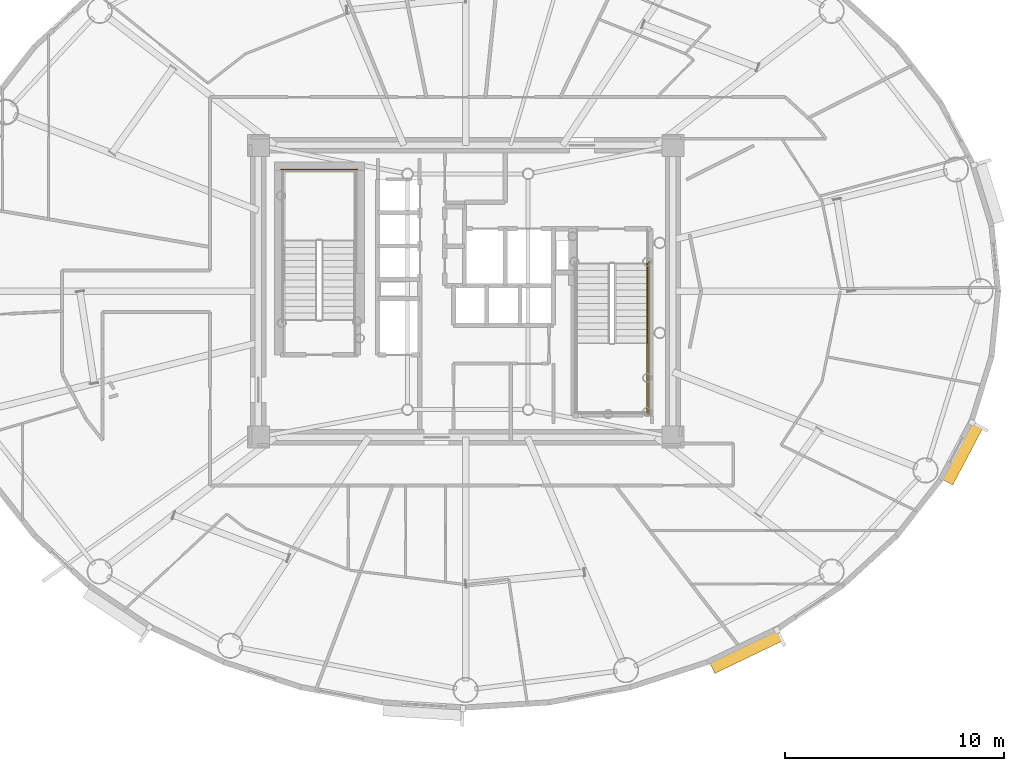
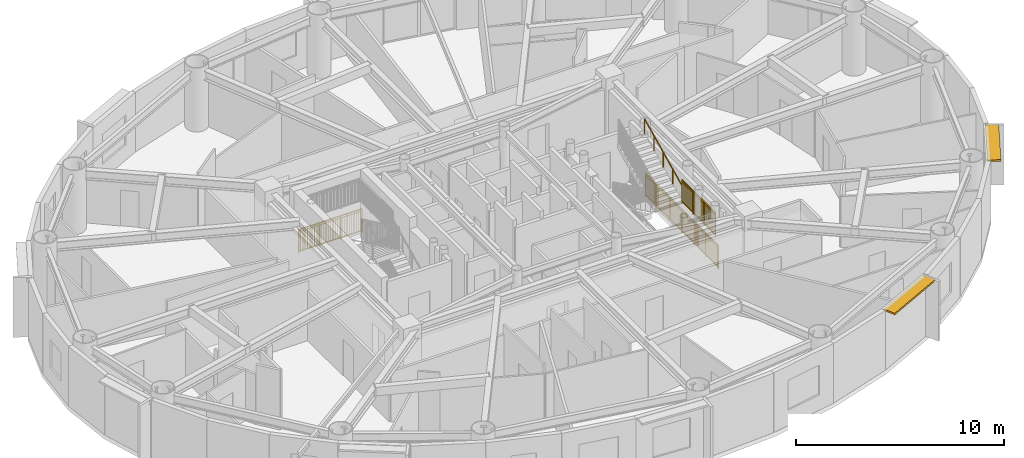
# One storey, part 20 of 21: 4 railings, 2 shading devices.
"""IFC4 building model written with IfcOpenShell, lengths in metres."""

from ifc_helpers import new_model, si_unit, direction, frame, origin, origin_2d, place, context, subcontext, project, spatial, rectangle, extrude, source, transform, mapped, material, layer, layer_set, type_object, element, save


model = new_model("IFC4")

# Units and contexts
model_context = context("Model", 3, precision=1e-05, world=origin(), true_north=direction((0.0, 1.0)))
body_context = subcontext(model_context, "Body", "Model", "MODEL_VIEW")
ifc_project = project(units=[si_unit("LENGTHUNIT", "METRE"), si_unit("AREAUNIT", "SQUARE_METRE"), si_unit("VOLUMEUNIT", "CUBIC_METRE"), si_unit("PLANEANGLEUNIT", "RADIAN"), si_unit("MASSUNIT", "GRAM", prefix="KILO")], contexts=[model_context])

# Site, building, storey
site_placement = place(None, origin())
site = spatial("IfcSite", under=ifc_project, at=site_placement, CompositionType="ELEMENT")
building_placement = place(site_placement, origin())
building = spatial("IfcBuilding", under=site, at=building_placement, Name="Linh Dai School and Residence Tower", CompositionType="ELEMENT")
storey_placement = place(building_placement, frame((0.0, 0.0, 229.050048828125)))
storey = spatial("IfcBuildingStorey", under=building, at=storey_placement, Name="L56", CompositionType="ELEMENT", Elevation=229.050048828125)

# Shading devices
ifc_material_1 = material(Name="Terracotta Ceramic Sunshade", Category="masonry")
ifc_layer = layer(ifc_material_1, 0.10009765625)
ifc_layer_set = layer_set([ifc_layer], Name="Terracotta Ceramic Sunshade")
shading_device_type = type_object("IfcShadingDeviceType", Name="SHD-TC-650", PredefinedType="USERDEFINED", material=ifc_layer_set)
shared_shape_1 = source(origin(), body_context, "Body", "SweptSolid", [
    extrude(rectangle(XDim=3.459716796875, YDim=0.64990234375, at=origin_2d()), origin(), (0.0, 0.0, 1.0), 0.10009765625),
])
shading_device_1_placement = place(storey_placement, frame((48.77880859375, 10.615966796875, 3.3798828125), z_axis=(0.0, 0.0, 1.0), x_axis=(-0.901588864931, -0.432593941973, 0.0)))
element("IfcShadingDevice", 1, at=shading_device_1_placement, inside=storey, type_object=shading_device_type, Name="L56 Terracotta Horizontal Sunshade Band 34", ObjectType="SUNSHADE", PredefinedType="USERDEFINED", context=body_context, shape_type="MappedRepresentation", body=[
    mapped(shared_shape_1, transform((0.0, 0.0, 0.0), x_axis=(1.0, 0.0, 0.0), y_axis=(0.0, 1.0, 0.0), z_axis=(0.0, 0.0, 1.0), scale=1.0)),
])
shared_shape_2 = source(origin(), body_context, "Body", "SweptSolid", [
    extrude(rectangle(XDim=2.986083984375, YDim=0.64990234375, at=origin_2d()), origin(), (0.0, 0.0, 1.0), 0.10009765625),
])
shading_device_2_placement = place(storey_placement, frame((58.614990234375, 19.63623046875, 3.3798828125), z_axis=(0.0, 0.0, 1.0), x_axis=(-0.467621224891, -0.883928950783, 0.0)))
element("IfcShadingDevice", 2, at=shading_device_2_placement, inside=storey, type_object=shading_device_type, Name="L56 Terracotta Horizontal Sunshade Band 38", ObjectType="SUNSHADE", PredefinedType="USERDEFINED", context=body_context, shape_type="MappedRepresentation", body=[
    mapped(shared_shape_2, transform((0.0, 0.0, 0.0), x_axis=(1.0, 0.0, 0.0), y_axis=(0.0, 1.0, 0.0), z_axis=(0.0, 0.0, 1.0), scale=1.0)),
])

# Railings
ifc_material_2 = material(Name="Structural Steel S355JR", Category="steel")
railing_type_1 = type_object("IfcRailingType", Name="RL-ST-GUARD-1400", PredefinedType="GUARDRAIL", material=ifc_material_2)
shared_shape_3 = source(origin(), body_context, "Body", "SweptSolid", [
    extrude(rectangle(XDim=0.048095703125, YDim=0.048095703125, at=origin_2d()), frame((0.0, 0.0, 1.3759765625), z_axis=(-1.0, 0.0, 0.0), x_axis=(0.0, -1.0, 0.0)), (0.0, 0.0, 1.0), 3.5),
    extrude(rectangle(XDim=0.048095703125, YDim=0.048095703125, at=origin_2d()), frame((0.0, 0.0, 0.10009765625), z_axis=(-1.0, 0.0, 0.0), x_axis=(0.0, -1.0, 0.0)), (0.0, 0.0, 1.0), 3.5),
    extrude(rectangle(XDim=0.030029296875, YDim=0.030029296875, at=origin_2d()), frame((0.0, 0.0, 1.239990234375), z_axis=(-1.0, 0.0, 0.0), x_axis=(0.0, -1.0, 0.0)), (0.0, 0.0, 1.0), 3.5),
    extrude(rectangle(XDim=0.02001953125, YDim=0.02001953125, at=origin_2d()), frame((-0.09716796875, 0.0, 0.10009765625)), (0.0, 0.0, 1.0), 1.251708984375),
    extrude(rectangle(XDim=0.02001953125, YDim=0.02001953125, at=origin_2d()), frame((-0.1943359375, 0.0, 0.10009765625)), (0.0, 0.0, 1.0), 1.251708984375),
    extrude(rectangle(XDim=0.02001953125, YDim=0.02001953125, at=origin_2d()), frame((-0.291748046875, 0.0, 0.10009765625)), (0.0, 0.0, 1.0), 1.251708984375),
    extrude(rectangle(XDim=0.02001953125, YDim=0.02001953125, at=origin_2d()), frame((-0.388916015625, 0.0, 0.10009765625)), (0.0, 0.0, 1.0), 1.251708984375),
    extrude(rectangle(XDim=0.02001953125, YDim=0.02001953125, at=origin_2d()), frame((-0.486083984375, 0.0, 0.10009765625)), (0.0, 0.0, 1.0), 1.251708984375),
    extrude(rectangle(XDim=0.02001953125, YDim=0.02001953125, at=origin_2d()), frame((-0.583251953125, 0.0, 0.10009765625)), (0.0, 0.0, 1.0), 1.251708984375),
    extrude(rectangle(XDim=0.02001953125, YDim=0.02001953125, at=origin_2d()), frame((-0.6806640625, 0.0, 0.10009765625)), (0.0, 0.0, 1.0), 1.251708984375),
    extrude(rectangle(XDim=0.02001953125, YDim=0.02001953125, at=origin_2d()), frame((-0.77783203125, 0.0, 0.10009765625)), (0.0, 0.0, 1.0), 1.251708984375),
    extrude(rectangle(XDim=0.02001953125, YDim=0.02001953125, at=origin_2d()), frame((-0.875, 0.0, 0.10009765625)), (0.0, 0.0, 1.0), 1.251708984375),
    extrude(rectangle(XDim=0.02001953125, YDim=0.02001953125, at=origin_2d()), frame((-0.97216796875, 0.0, 0.10009765625)), (0.0, 0.0, 1.0), 1.251708984375),
    extrude(rectangle(XDim=0.02001953125, YDim=0.02001953125, at=origin_2d()), frame((-1.0693359375, 0.0, 0.10009765625)), (0.0, 0.0, 1.0), 1.251708984375),
    extrude(rectangle(XDim=0.02001953125, YDim=0.02001953125, at=origin_2d()), frame((-1.263916015625, 0.0, 0.10009765625)), (0.0, 0.0, 1.0), 1.251708984375),
    extrude(rectangle(XDim=0.02001953125, YDim=0.02001953125, at=origin_2d()), frame((-1.361083984375, 0.0, 0.10009765625)), (0.0, 0.0, 1.0), 1.251708984375),
    extrude(rectangle(XDim=0.02001953125, YDim=0.02001953125, at=origin_2d()), frame((-1.458251953125, 0.0, 0.10009765625)), (0.0, 0.0, 1.0), 1.251708984375),
    extrude(rectangle(XDim=0.02001953125, YDim=0.02001953125, at=origin_2d()), frame((-1.5556640625, 0.0, 0.10009765625)), (0.0, 0.0, 1.0), 1.251708984375),
    extrude(rectangle(XDim=0.02001953125, YDim=0.02001953125, at=origin_2d()), frame((-1.65283203125, 0.0, 0.10009765625)), (0.0, 0.0, 1.0), 1.251708984375),
    extrude(rectangle(XDim=0.02001953125, YDim=0.02001953125, at=origin_2d()), frame((-1.75, 0.0, 0.10009765625)), (0.0, 0.0, 1.0), 1.251708984375),
    extrude(rectangle(XDim=0.02001953125, YDim=0.02001953125, at=origin_2d()), frame((-1.84716796875, 0.0, 0.10009765625)), (0.0, 0.0, 1.0), 1.251708984375),
    extrude(rectangle(XDim=0.02001953125, YDim=0.02001953125, at=origin_2d()), frame((-1.9443359375, 0.0, 0.10009765625)), (0.0, 0.0, 1.0), 1.251708984375),
    extrude(rectangle(XDim=0.02001953125, YDim=0.02001953125, at=origin_2d()), frame((-2.041748046875, 0.0, 0.10009765625)), (0.0, 0.0, 1.0), 1.251708984375),
    extrude(rectangle(XDim=0.02001953125, YDim=0.02001953125, at=origin_2d()), frame((-2.138916015625, 0.0, 0.10009765625)), (0.0, 0.0, 1.0), 1.251708984375),
    extrude(rectangle(XDim=0.02001953125, YDim=0.02001953125, at=origin_2d()), frame((-2.236083984375, 0.0, 0.10009765625)), (0.0, 0.0, 1.0), 1.251708984375),
    extrude(rectangle(XDim=0.02001953125, YDim=0.02001953125, at=origin_2d()), frame((-2.4306640625, 0.0, 0.10009765625)), (0.0, 0.0, 1.0), 1.251708984375),
    extrude(rectangle(XDim=0.02001953125, YDim=0.02001953125, at=origin_2d()), frame((-2.52783203125, 0.0, 0.10009765625)), (0.0, 0.0, 1.0), 1.251708984375),
    extrude(rectangle(XDim=0.02001953125, YDim=0.02001953125, at=origin_2d()), frame((-2.625, 0.0, 0.10009765625)), (0.0, 0.0, 1.0), 1.251708984375),
    extrude(rectangle(XDim=0.02001953125, YDim=0.02001953125, at=origin_2d()), frame((-2.72216796875, 0.0, 0.10009765625)), (0.0, 0.0, 1.0), 1.251708984375),
    extrude(rectangle(XDim=0.02001953125, YDim=0.02001953125, at=origin_2d()), frame((-2.8193359375, 0.0, 0.10009765625)), (0.0, 0.0, 1.0), 1.251708984375),
    extrude(rectangle(XDim=0.02001953125, YDim=0.02001953125, at=origin_2d()), frame((-2.916748046875, 0.0, 0.10009765625)), (0.0, 0.0, 1.0), 1.251708984375),
    extrude(rectangle(XDim=0.02001953125, YDim=0.02001953125, at=origin_2d()), frame((-3.013916015625, 0.0, 0.10009765625)), (0.0, 0.0, 1.0), 1.251708984375),
    extrude(rectangle(XDim=0.02001953125, YDim=0.02001953125, at=origin_2d()), frame((-3.111083984375, 0.0, 0.10009765625)), (0.0, 0.0, 1.0), 1.251708984375),
    extrude(rectangle(XDim=0.02001953125, YDim=0.02001953125, at=origin_2d()), frame((-3.208251953125, 0.0, 0.10009765625)), (0.0, 0.0, 1.0), 1.251708984375),
    extrude(rectangle(XDim=0.02001953125, YDim=0.02001953125, at=origin_2d()), frame((-3.3056640625, 0.0, 0.10009765625)), (0.0, 0.0, 1.0), 1.251708984375),
    extrude(rectangle(XDim=0.02001953125, YDim=0.02001953125, at=origin_2d()), frame((-3.40283203125, 0.0, 0.10009765625)), (0.0, 0.0, 1.0), 1.251708984375),
    extrude(rectangle(XDim=0.0419921875, YDim=0.0419921875, at=origin_2d()), origin(), (0.0, 0.0, 1.0), 1.3759765625),
    extrude(rectangle(XDim=0.0419921875, YDim=0.0419921875, at=origin_2d()), frame((-1.166748046875, 0.0, 0.0)), (0.0, 0.0, 1.0), 1.3759765625),
    extrude(rectangle(XDim=0.0419921875, YDim=0.0419921875, at=origin_2d()), frame((-2.333251953125, 0.0, 0.0)), (0.0, 0.0, 1.0), 1.3759765625),
    extrude(rectangle(XDim=0.0419921875, YDim=0.0419921875, at=origin_2d()), frame((-3.5, 0.0, 0.0)), (0.0, 0.0, 1.0), 1.3759765625),
])
railing_1_placement = place(storey_placement, frame((31.080078125, 32.550048828125, 0.0)))
element("IfcRailing", 3, at=railing_1_placement, inside=storey, type_object=railing_type_1, Name="L56 ST1 stair guard 12", PredefinedType="GUARDRAIL", context=body_context, shape_type="MappedRepresentation", body=[
    mapped(shared_shape_3, transform((0.0, 0.0, 0.0), x_axis=(1.0, 0.0, 0.0), y_axis=(0.0, 1.0, 0.0), z_axis=(0.0, 0.0, 1.0), scale=1.0)),
])
ifc_material_3 = material(Name="Brushed Stainless Steel Handrail", Category="steel")
railing_type_2 = type_object("IfcRailingType", Name="RL-ST-HANDRAIL-900", PredefinedType="HANDRAIL", material=ifc_material_3)
shared_shape_4 = source(origin(), body_context, "Body", "SweptSolid", [
    extrude(rectangle(XDim=0.048095703125, YDim=0.048095703125, at=origin_2d()), frame((0.0, 0.0, 0.8759765625), z_axis=(0.0, 0.901262522062, 0.433273431364), x_axis=(-1.0, 0.0, 0.0)), (0.0, 0.0, 1.0), 3.994384765625),
    extrude(rectangle(XDim=0.0419921875, YDim=0.0419921875, at=origin_2d()), origin(), (0.0, 0.0, 1.0), 0.8759765625),
    extrude(rectangle(XDim=0.0419921875, YDim=0.0419921875, at=origin_2d()), frame((0.0, 0.89990234375, 0.4326171875)), (0.0, 0.0, 1.0), 0.8759765625),
    extrude(rectangle(XDim=0.0419921875, YDim=0.0419921875, at=origin_2d()), frame((0.0, 1.800048828125, 0.865234375)), (0.0, 0.0, 1.0), 0.8759765625),
    extrude(rectangle(XDim=0.0419921875, YDim=0.0419921875, at=origin_2d()), frame((0.0, 2.7001953125, 1.298095703125)), (0.0, 0.0, 1.0), 0.8759765625),
    extrude(rectangle(XDim=0.0419921875, YDim=0.0419921875, at=origin_2d()), frame((0.0, 3.60009765625, 1.730712890625)), (0.0, 0.0, 1.0), 0.8759765625),
])
railing_2_placement = place(storey_placement, frame((44.27001953125, 24.64990234375, 2.019287109375)))
element("IfcRailing", 4, at=railing_2_placement, inside=storey, type_object=railing_type_2, Name="L56 ST2 stair handrail 2", PredefinedType="HANDRAIL", context=body_context, shape_type="MappedRepresentation", body=[
    mapped(shared_shape_4, transform((0.0, 0.0, 0.0), x_axis=(1.0, 0.0, 0.0), y_axis=(0.0, 1.0, 0.0), z_axis=(0.0, 0.0, 1.0), scale=1.0)),
])
shared_shape_5 = source(origin(), body_context, "Body", "SweptSolid", [
    extrude(rectangle(XDim=0.048095703125, YDim=0.048095703125, at=origin_2d()), frame((0.0, 0.0, 1.3759765625), z_axis=(0.0, -1.0, 0.0), x_axis=(1.0, 0.0, 0.0)), (0.0, 0.0, 1.0), 7.0),
    extrude(rectangle(XDim=0.048095703125, YDim=0.048095703125, at=origin_2d()), frame((0.0, 0.0, 0.10009765625), z_axis=(0.0, -1.0, 0.0), x_axis=(1.0, 0.0, 0.0)), (0.0, 0.0, 1.0), 7.0),
    extrude(rectangle(XDim=0.030029296875, YDim=0.030029296875, at=origin_2d()), frame((0.0, 0.0, 1.239990234375), z_axis=(0.0, -1.0, 0.0), x_axis=(1.0, 0.0, 0.0)), (0.0, 0.0, 1.0), 7.0),
    extrude(rectangle(XDim=0.02001953125, YDim=0.02001953125, at=origin_2d()), frame((0.0, -0.09716796875, 0.10009765625)), (0.0, 0.0, 1.0), 1.251708984375),
    extrude(rectangle(XDim=0.02001953125, YDim=0.02001953125, at=origin_2d()), frame((0.0, -0.1943359375, 0.10009765625)), (0.0, 0.0, 1.0), 1.251708984375),
    extrude(rectangle(XDim=0.02001953125, YDim=0.02001953125, at=origin_2d()), frame((0.0, -0.291748046875, 0.10009765625)), (0.0, 0.0, 1.0), 1.251708984375),
    extrude(rectangle(XDim=0.02001953125, YDim=0.02001953125, at=origin_2d()), frame((0.0, -0.388916015625, 0.10009765625)), (0.0, 0.0, 1.0), 1.251708984375),
    extrude(rectangle(XDim=0.02001953125, YDim=0.02001953125, at=origin_2d()), frame((0.0, -0.486083984375, 0.10009765625)), (0.0, 0.0, 1.0), 1.251708984375),
    extrude(rectangle(XDim=0.02001953125, YDim=0.02001953125, at=origin_2d()), frame((0.0, -0.583251953125, 0.10009765625)), (0.0, 0.0, 1.0), 1.251708984375),
    extrude(rectangle(XDim=0.02001953125, YDim=0.02001953125, at=origin_2d()), frame((0.0, -0.6806640625, 0.10009765625)), (0.0, 0.0, 1.0), 1.251708984375),
    extrude(rectangle(XDim=0.02001953125, YDim=0.02001953125, at=origin_2d()), frame((0.0, -0.77783203125, 0.10009765625)), (0.0, 0.0, 1.0), 1.251708984375),
    extrude(rectangle(XDim=0.02001953125, YDim=0.02001953125, at=origin_2d()), frame((0.0, -0.875, 0.10009765625)), (0.0, 0.0, 1.0), 1.251708984375),
    extrude(rectangle(XDim=0.02001953125, YDim=0.02001953125, at=origin_2d()), frame((0.0, -0.97216796875, 0.10009765625)), (0.0, 0.0, 1.0), 1.251708984375),
    extrude(rectangle(XDim=0.02001953125, YDim=0.02001953125, at=origin_2d()), frame((0.0, -1.0693359375, 0.10009765625)), (0.0, 0.0, 1.0), 1.251708984375),
    extrude(rectangle(XDim=0.02001953125, YDim=0.02001953125, at=origin_2d()), frame((0.0, -1.263916015625, 0.10009765625)), (0.0, 0.0, 1.0), 1.251708984375),
    extrude(rectangle(XDim=0.02001953125, YDim=0.02001953125, at=origin_2d()), frame((0.0, -1.361083984375, 0.10009765625)), (0.0, 0.0, 1.0), 1.251708984375),
    extrude(rectangle(XDim=0.02001953125, YDim=0.02001953125, at=origin_2d()), frame((0.0, -1.458251953125, 0.10009765625)), (0.0, 0.0, 1.0), 1.251708984375),
    extrude(rectangle(XDim=0.02001953125, YDim=0.02001953125, at=origin_2d()), frame((0.0, -1.5556640625, 0.10009765625)), (0.0, 0.0, 1.0), 1.251708984375),
    extrude(rectangle(XDim=0.02001953125, YDim=0.02001953125, at=origin_2d()), frame((0.0, -1.65283203125, 0.10009765625)), (0.0, 0.0, 1.0), 1.251708984375),
    extrude(rectangle(XDim=0.02001953125, YDim=0.02001953125, at=origin_2d()), frame((0.0, -1.75, 0.10009765625)), (0.0, 0.0, 1.0), 1.251708984375),
    extrude(rectangle(XDim=0.02001953125, YDim=0.02001953125, at=origin_2d()), frame((0.0, -1.84716796875, 0.10009765625)), (0.0, 0.0, 1.0), 1.251708984375),
    extrude(rectangle(XDim=0.02001953125, YDim=0.02001953125, at=origin_2d()), frame((0.0, -1.9443359375, 0.10009765625)), (0.0, 0.0, 1.0), 1.251708984375),
    extrude(rectangle(XDim=0.02001953125, YDim=0.02001953125, at=origin_2d()), frame((0.0, -2.041748046875, 0.10009765625)), (0.0, 0.0, 1.0), 1.251708984375),
    extrude(rectangle(XDim=0.02001953125, YDim=0.02001953125, at=origin_2d()), frame((0.0, -2.138916015625, 0.10009765625)), (0.0, 0.0, 1.0), 1.251708984375),
    extrude(rectangle(XDim=0.02001953125, YDim=0.02001953125, at=origin_2d()), frame((0.0, -2.236083984375, 0.10009765625)), (0.0, 0.0, 1.0), 1.251708984375),
    extrude(rectangle(XDim=0.02001953125, YDim=0.02001953125, at=origin_2d()), frame((0.0, -2.4306640625, 0.10009765625)), (0.0, 0.0, 1.0), 1.251708984375),
    extrude(rectangle(XDim=0.02001953125, YDim=0.02001953125, at=origin_2d()), frame((0.0, -2.52783203125, 0.10009765625)), (0.0, 0.0, 1.0), 1.251708984375),
    extrude(rectangle(XDim=0.02001953125, YDim=0.02001953125, at=origin_2d()), frame((0.0, -2.625, 0.10009765625)), (0.0, 0.0, 1.0), 1.251708984375),
    extrude(rectangle(XDim=0.02001953125, YDim=0.02001953125, at=origin_2d()), frame((0.0, -2.72216796875, 0.10009765625)), (0.0, 0.0, 1.0), 1.251708984375),
    extrude(rectangle(XDim=0.02001953125, YDim=0.02001953125, at=origin_2d()), frame((0.0, -2.8193359375, 0.10009765625)), (0.0, 0.0, 1.0), 1.251708984375),
    extrude(rectangle(XDim=0.02001953125, YDim=0.02001953125, at=origin_2d()), frame((0.0, -2.916748046875, 0.10009765625)), (0.0, 0.0, 1.0), 1.251708984375),
    extrude(rectangle(XDim=0.02001953125, YDim=0.02001953125, at=origin_2d()), frame((0.0, -3.013916015625, 0.10009765625)), (0.0, 0.0, 1.0), 1.251708984375),
    extrude(rectangle(XDim=0.02001953125, YDim=0.02001953125, at=origin_2d()), frame((0.0, -3.111083984375, 0.10009765625)), (0.0, 0.0, 1.0), 1.251708984375),
    extrude(rectangle(XDim=0.02001953125, YDim=0.02001953125, at=origin_2d()), frame((0.0, -3.208251953125, 0.10009765625)), (0.0, 0.0, 1.0), 1.251708984375),
    extrude(rectangle(XDim=0.02001953125, YDim=0.02001953125, at=origin_2d()), frame((0.0, -3.3056640625, 0.10009765625)), (0.0, 0.0, 1.0), 1.251708984375),
    extrude(rectangle(XDim=0.02001953125, YDim=0.02001953125, at=origin_2d()), frame((0.0, -3.40283203125, 0.10009765625)), (0.0, 0.0, 1.0), 1.251708984375),
    extrude(rectangle(XDim=0.02001953125, YDim=0.02001953125, at=origin_2d()), frame((0.0, -3.59716796875, 0.10009765625)), (0.0, 0.0, 1.0), 1.251708984375),
    extrude(rectangle(XDim=0.02001953125, YDim=0.02001953125, at=origin_2d()), frame((0.0, -3.6943359375, 0.10009765625)), (0.0, 0.0, 1.0), 1.251708984375),
    extrude(rectangle(XDim=0.02001953125, YDim=0.02001953125, at=origin_2d()), frame((0.0, -3.791748046875, 0.10009765625)), (0.0, 0.0, 1.0), 1.251708984375),
    extrude(rectangle(XDim=0.02001953125, YDim=0.02001953125, at=origin_2d()), frame((0.0, -3.888916015625, 0.10009765625)), (0.0, 0.0, 1.0), 1.251708984375),
    extrude(rectangle(XDim=0.02001953125, YDim=0.02001953125, at=origin_2d()), frame((0.0, -3.986083984375, 0.10009765625)), (0.0, 0.0, 1.0), 1.251708984375),
    extrude(rectangle(XDim=0.02001953125, YDim=0.02001953125, at=origin_2d()), frame((0.0, -4.083251953125, 0.10009765625)), (0.0, 0.0, 1.0), 1.251708984375),
    extrude(rectangle(XDim=0.02001953125, YDim=0.02001953125, at=origin_2d()), frame((0.0, -4.1806640625, 0.10009765625)), (0.0, 0.0, 1.0), 1.251708984375),
    extrude(rectangle(XDim=0.02001953125, YDim=0.02001953125, at=origin_2d()), frame((0.0, -4.27783203125, 0.10009765625)), (0.0, 0.0, 1.0), 1.251708984375),
    extrude(rectangle(XDim=0.02001953125, YDim=0.02001953125, at=origin_2d()), frame((0.0, -4.375, 0.10009765625)), (0.0, 0.0, 1.0), 1.251708984375),
    extrude(rectangle(XDim=0.02001953125, YDim=0.02001953125, at=origin_2d()), frame((0.0, -4.47216796875, 0.10009765625)), (0.0, 0.0, 1.0), 1.251708984375),
    extrude(rectangle(XDim=0.02001953125, YDim=0.02001953125, at=origin_2d()), frame((0.0, -4.5693359375, 0.10009765625)), (0.0, 0.0, 1.0), 1.251708984375),
    extrude(rectangle(XDim=0.02001953125, YDim=0.02001953125, at=origin_2d()), frame((0.0, -4.763916015625, 0.10009765625)), (0.0, 0.0, 1.0), 1.251708984375),
    extrude(rectangle(XDim=0.02001953125, YDim=0.02001953125, at=origin_2d()), frame((0.0, -4.861083984375, 0.10009765625)), (0.0, 0.0, 1.0), 1.251708984375),
    extrude(rectangle(XDim=0.02001953125, YDim=0.02001953125, at=origin_2d()), frame((0.0, -4.958251953125, 0.10009765625)), (0.0, 0.0, 1.0), 1.251708984375),
    extrude(rectangle(XDim=0.02001953125, YDim=0.02001953125, at=origin_2d()), frame((0.0, -5.0556640625, 0.10009765625)), (0.0, 0.0, 1.0), 1.251708984375),
    extrude(rectangle(XDim=0.02001953125, YDim=0.02001953125, at=origin_2d()), frame((0.0, -5.15283203125, 0.10009765625)), (0.0, 0.0, 1.0), 1.251708984375),
    extrude(rectangle(XDim=0.02001953125, YDim=0.02001953125, at=origin_2d()), frame((0.0, -5.25, 0.10009765625)), (0.0, 0.0, 1.0), 1.251708984375),
    extrude(rectangle(XDim=0.02001953125, YDim=0.02001953125, at=origin_2d()), frame((0.0, -5.34716796875, 0.10009765625)), (0.0, 0.0, 1.0), 1.251708984375),
    extrude(rectangle(XDim=0.02001953125, YDim=0.02001953125, at=origin_2d()), frame((0.0, -5.4443359375, 0.10009765625)), (0.0, 0.0, 1.0), 1.251708984375),
    extrude(rectangle(XDim=0.02001953125, YDim=0.02001953125, at=origin_2d()), frame((0.0, -5.541748046875, 0.10009765625)), (0.0, 0.0, 1.0), 1.251708984375),
    extrude(rectangle(XDim=0.02001953125, YDim=0.02001953125, at=origin_2d()), frame((0.0, -5.638916015625, 0.10009765625)), (0.0, 0.0, 1.0), 1.251708984375),
    extrude(rectangle(XDim=0.02001953125, YDim=0.02001953125, at=origin_2d()), frame((0.0, -5.736083984375, 0.10009765625)), (0.0, 0.0, 1.0), 1.251708984375),
    extrude(rectangle(XDim=0.02001953125, YDim=0.02001953125, at=origin_2d()), frame((0.0, -5.9306640625, 0.10009765625)), (0.0, 0.0, 1.0), 1.251708984375),
    extrude(rectangle(XDim=0.02001953125, YDim=0.02001953125, at=origin_2d()), frame((0.0, -6.02783203125, 0.10009765625)), (0.0, 0.0, 1.0), 1.251708984375),
    extrude(rectangle(XDim=0.02001953125, YDim=0.02001953125, at=origin_2d()), frame((0.0, -6.125, 0.10009765625)), (0.0, 0.0, 1.0), 1.251708984375),
    extrude(rectangle(XDim=0.02001953125, YDim=0.02001953125, at=origin_2d()), frame((0.0, -6.22216796875, 0.10009765625)), (0.0, 0.0, 1.0), 1.251708984375),
    extrude(rectangle(XDim=0.02001953125, YDim=0.02001953125, at=origin_2d()), frame((0.0, -6.3193359375, 0.10009765625)), (0.0, 0.0, 1.0), 1.251708984375),
    extrude(rectangle(XDim=0.02001953125, YDim=0.02001953125, at=origin_2d()), frame((0.0, -6.416748046875, 0.10009765625)), (0.0, 0.0, 1.0), 1.251708984375),
    extrude(rectangle(XDim=0.02001953125, YDim=0.02001953125, at=origin_2d()), frame((0.0, -6.513916015625, 0.10009765625)), (0.0, 0.0, 1.0), 1.251708984375),
    extrude(rectangle(XDim=0.02001953125, YDim=0.02001953125, at=origin_2d()), frame((0.0, -6.611083984375, 0.10009765625)), (0.0, 0.0, 1.0), 1.251708984375),
    extrude(rectangle(XDim=0.02001953125, YDim=0.02001953125, at=origin_2d()), frame((0.0, -6.708251953125, 0.10009765625)), (0.0, 0.0, 1.0), 1.251708984375),
    extrude(rectangle(XDim=0.02001953125, YDim=0.02001953125, at=origin_2d()), frame((0.0, -6.8056640625, 0.10009765625)), (0.0, 0.0, 1.0), 1.251708984375),
    extrude(rectangle(XDim=0.02001953125, YDim=0.02001953125, at=origin_2d()), frame((0.0, -6.90283203125, 0.10009765625)), (0.0, 0.0, 1.0), 1.251708984375),
    extrude(rectangle(XDim=0.0419921875, YDim=0.0419921875, at=origin_2d()), origin(), (0.0, 0.0, 1.0), 1.3759765625),
    extrude(rectangle(XDim=0.0419921875, YDim=0.0419921875, at=origin_2d()), frame((0.0, -1.166748046875, 0.0)), (0.0, 0.0, 1.0), 1.3759765625),
    extrude(rectangle(XDim=0.0419921875, YDim=0.0419921875, at=origin_2d()), frame((0.0, -2.333251953125, 0.0)), (0.0, 0.0, 1.0), 1.3759765625),
    extrude(rectangle(XDim=0.0419921875, YDim=0.0419921875, at=origin_2d()), frame((0.0, -3.5, 0.0)), (0.0, 0.0, 1.0), 1.3759765625),
    extrude(rectangle(XDim=0.0419921875, YDim=0.0419921875, at=origin_2d()), frame((0.0, -4.666748046875, 0.0)), (0.0, 0.0, 1.0), 1.3759765625),
    extrude(rectangle(XDim=0.0419921875, YDim=0.0419921875, at=origin_2d()), frame((0.0, -5.833251953125, 0.0)), (0.0, 0.0, 1.0), 1.3759765625),
    extrude(rectangle(XDim=0.0419921875, YDim=0.0419921875, at=origin_2d()), frame((0.0, -7.0, 0.0)), (0.0, 0.0, 1.0), 1.3759765625),
])
railing_3_placement = place(storey_placement, frame((44.3701171875, 28.35009765625, 0.0)))
element("IfcRailing", 5, at=railing_3_placement, inside=storey, type_object=railing_type_1, Name="L56 ST2 stair guard 11", PredefinedType="GUARDRAIL", context=body_context, shape_type="MappedRepresentation", body=[
    mapped(shared_shape_5, transform((0.0, 0.0, 0.0), x_axis=(1.0, 0.0, 0.0), y_axis=(0.0, 1.0, 0.0), z_axis=(0.0, 0.0, 1.0), scale=1.0)),
])
shared_shape_6 = source(origin(), body_context, "Body", "SweptSolid", [
    extrude(rectangle(XDim=0.048095703125, YDim=0.048095703125, at=origin_2d()), frame((0.0, 0.0, 1.3759765625), z_axis=(0.0, -1.0, 0.0), x_axis=(1.0, 0.0, 0.0)), (0.0, 0.0, 1.0), 3.199951171875),
    extrude(rectangle(XDim=0.048095703125, YDim=0.048095703125, at=origin_2d()), frame((0.0, 0.0, 0.10009765625), z_axis=(0.0, -1.0, 0.0), x_axis=(1.0, 0.0, 0.0)), (0.0, 0.0, 1.0), 3.199951171875),
    extrude(rectangle(XDim=0.030029296875, YDim=0.030029296875, at=origin_2d()), frame((0.0, 0.0, 1.239990234375), z_axis=(0.0, -1.0, 0.0), x_axis=(1.0, 0.0, 0.0)), (0.0, 0.0, 1.0), 3.199951171875),
    extrude(rectangle(XDim=0.02001953125, YDim=0.02001953125, at=origin_2d()), frame((0.0, -0.096923828125, 0.10009765625)), (0.0, 0.0, 1.0), 1.251708984375),
    extrude(rectangle(XDim=0.02001953125, YDim=0.02001953125, at=origin_2d()), frame((0.0, -0.19384765625, 0.10009765625)), (0.0, 0.0, 1.0), 1.251708984375),
    extrude(rectangle(XDim=0.02001953125, YDim=0.02001953125, at=origin_2d()), frame((0.0, -0.291015625, 0.10009765625)), (0.0, 0.0, 1.0), 1.251708984375),
    extrude(rectangle(XDim=0.02001953125, YDim=0.02001953125, at=origin_2d()), frame((0.0, -0.387939453125, 0.10009765625)), (0.0, 0.0, 1.0), 1.251708984375),
    extrude(rectangle(XDim=0.02001953125, YDim=0.02001953125, at=origin_2d()), frame((0.0, -0.48486328125, 0.10009765625)), (0.0, 0.0, 1.0), 1.251708984375),
    extrude(rectangle(XDim=0.02001953125, YDim=0.02001953125, at=origin_2d()), frame((0.0, -0.581787109375, 0.10009765625)), (0.0, 0.0, 1.0), 1.251708984375),
    extrude(rectangle(XDim=0.02001953125, YDim=0.02001953125, at=origin_2d()), frame((0.0, -0.6787109375, 0.10009765625)), (0.0, 0.0, 1.0), 1.251708984375),
    extrude(rectangle(XDim=0.02001953125, YDim=0.02001953125, at=origin_2d()), frame((0.0, -0.775634765625, 0.10009765625)), (0.0, 0.0, 1.0), 1.251708984375),
    extrude(rectangle(XDim=0.02001953125, YDim=0.02001953125, at=origin_2d()), frame((0.0, -0.872802734375, 0.10009765625)), (0.0, 0.0, 1.0), 1.251708984375),
    extrude(rectangle(XDim=0.02001953125, YDim=0.02001953125, at=origin_2d()), frame((0.0, -0.9697265625, 0.10009765625)), (0.0, 0.0, 1.0), 1.251708984375),
    extrude(rectangle(XDim=0.02001953125, YDim=0.02001953125, at=origin_2d()), frame((0.0, -1.16357421875, 0.10009765625)), (0.0, 0.0, 1.0), 1.251708984375),
    extrude(rectangle(XDim=0.02001953125, YDim=0.02001953125, at=origin_2d()), frame((0.0, -1.260498046875, 0.10009765625)), (0.0, 0.0, 1.0), 1.251708984375),
    extrude(rectangle(XDim=0.02001953125, YDim=0.02001953125, at=origin_2d()), frame((0.0, -1.357666015625, 0.10009765625)), (0.0, 0.0, 1.0), 1.251708984375),
    extrude(rectangle(XDim=0.02001953125, YDim=0.02001953125, at=origin_2d()), frame((0.0, -1.45458984375, 0.10009765625)), (0.0, 0.0, 1.0), 1.251708984375),
    extrude(rectangle(XDim=0.02001953125, YDim=0.02001953125, at=origin_2d()), frame((0.0, -1.551513671875, 0.10009765625)), (0.0, 0.0, 1.0), 1.251708984375),
    extrude(rectangle(XDim=0.02001953125, YDim=0.02001953125, at=origin_2d()), frame((0.0, -1.6484375, 0.10009765625)), (0.0, 0.0, 1.0), 1.251708984375),
    extrude(rectangle(XDim=0.02001953125, YDim=0.02001953125, at=origin_2d()), frame((0.0, -1.745361328125, 0.10009765625)), (0.0, 0.0, 1.0), 1.251708984375),
    extrude(rectangle(XDim=0.02001953125, YDim=0.02001953125, at=origin_2d()), frame((0.0, -1.84228515625, 0.10009765625)), (0.0, 0.0, 1.0), 1.251708984375),
    extrude(rectangle(XDim=0.02001953125, YDim=0.02001953125, at=origin_2d()), frame((0.0, -1.939453125, 0.10009765625)), (0.0, 0.0, 1.0), 1.251708984375),
    extrude(rectangle(XDim=0.02001953125, YDim=0.02001953125, at=origin_2d()), frame((0.0, -2.036376953125, 0.10009765625)), (0.0, 0.0, 1.0), 1.251708984375),
    extrude(rectangle(XDim=0.02001953125, YDim=0.02001953125, at=origin_2d()), frame((0.0, -2.230224609375, 0.10009765625)), (0.0, 0.0, 1.0), 1.251708984375),
    extrude(rectangle(XDim=0.02001953125, YDim=0.02001953125, at=origin_2d()), frame((0.0, -2.3271484375, 0.10009765625)), (0.0, 0.0, 1.0), 1.251708984375),
    extrude(rectangle(XDim=0.02001953125, YDim=0.02001953125, at=origin_2d()), frame((0.0, -2.42431640625, 0.10009765625)), (0.0, 0.0, 1.0), 1.251708984375),
    extrude(rectangle(XDim=0.02001953125, YDim=0.02001953125, at=origin_2d()), frame((0.0, -2.521240234375, 0.10009765625)), (0.0, 0.0, 1.0), 1.251708984375),
    extrude(rectangle(XDim=0.02001953125, YDim=0.02001953125, at=origin_2d()), frame((0.0, -2.6181640625, 0.10009765625)), (0.0, 0.0, 1.0), 1.251708984375),
    extrude(rectangle(XDim=0.02001953125, YDim=0.02001953125, at=origin_2d()), frame((0.0, -2.715087890625, 0.10009765625)), (0.0, 0.0, 1.0), 1.251708984375),
    extrude(rectangle(XDim=0.02001953125, YDim=0.02001953125, at=origin_2d()), frame((0.0, -2.81201171875, 0.10009765625)), (0.0, 0.0, 1.0), 1.251708984375),
    extrude(rectangle(XDim=0.02001953125, YDim=0.02001953125, at=origin_2d()), frame((0.0, -2.908935546875, 0.10009765625)), (0.0, 0.0, 1.0), 1.251708984375),
    extrude(rectangle(XDim=0.02001953125, YDim=0.02001953125, at=origin_2d()), frame((0.0, -3.006103515625, 0.10009765625)), (0.0, 0.0, 1.0), 1.251708984375),
    extrude(rectangle(XDim=0.02001953125, YDim=0.02001953125, at=origin_2d()), frame((0.0, -3.10302734375, 0.10009765625)), (0.0, 0.0, 1.0), 1.251708984375),
    extrude(rectangle(XDim=0.0419921875, YDim=0.0419921875, at=origin_2d()), origin(), (0.0, 0.0, 1.0), 1.3759765625),
    extrude(rectangle(XDim=0.0419921875, YDim=0.0419921875, at=origin_2d()), frame((0.0, -1.066650390625, 0.0)), (0.0, 0.0, 1.0), 1.3759765625),
    extrude(rectangle(XDim=0.0419921875, YDim=0.0419921875, at=origin_2d()), frame((0.0, -2.13330078125, 0.0)), (0.0, 0.0, 1.0), 1.3759765625),
    extrude(rectangle(XDim=0.0419921875, YDim=0.0419921875, at=origin_2d()), frame((0.0, -3.199951171875, 0.0)), (0.0, 0.0, 1.0), 1.3759765625),
])
railing_4_placement = place(storey_placement, frame((44.27001953125, 24.64990234375, 1.875)))
element("IfcRailing", 6, at=railing_4_placement, inside=storey, type_object=railing_type_1, Name="L56 ST2 stair guard 4", PredefinedType="GUARDRAIL", context=body_context, shape_type="MappedRepresentation", body=[
    mapped(shared_shape_6, transform((0.0, 0.0, 0.0), x_axis=(1.0, 0.0, 0.0), y_axis=(0.0, 1.0, 0.0), z_axis=(0.0, 0.0, 1.0), scale=1.0)),
])

save(model, "model.ifc")
